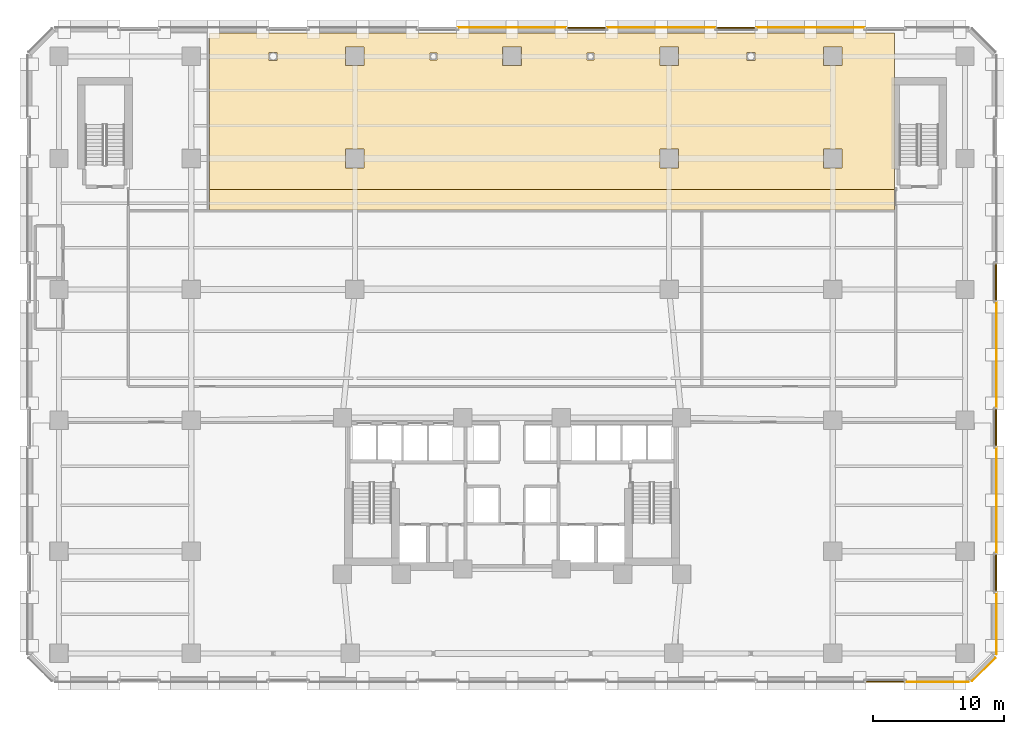
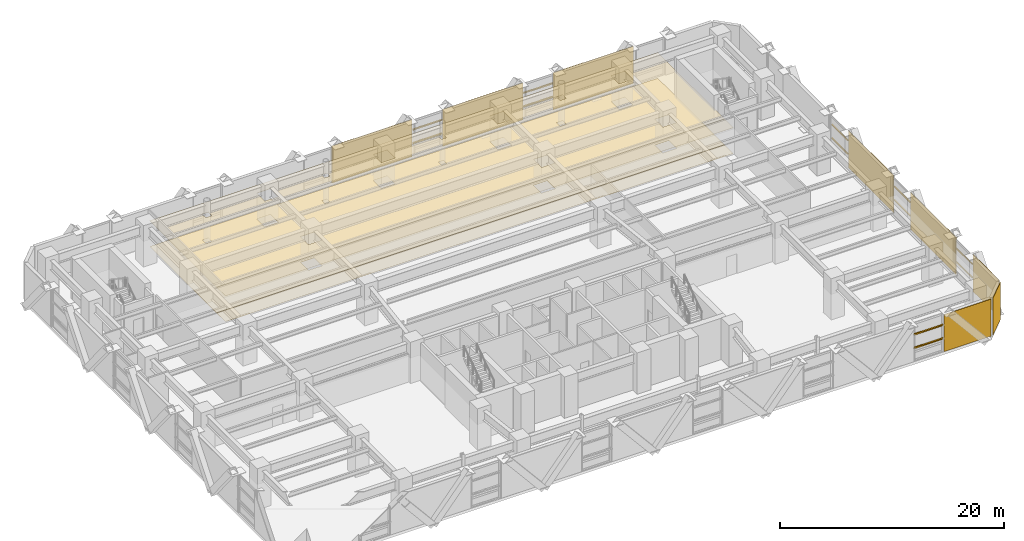
# One storey, part 25 of 26: 12 coverings, 12 shading devices.
"""IFC4 building model written with IfcOpenShell, lengths in metres."""

from ifc_helpers import new_model, si_unit, direction, frame, origin, origin_2d, place, context, subcontext, project, spatial, polyline, rectangle, outline, extrude, material, layer, layer_set, material_profile, profile_set, type_object, element, save


model = new_model("IFC4")

# Units and contexts
model_context = context("Model", 3, precision=1e-05, world=origin(), true_north=direction((0.0, 1.0)))
body_context = subcontext(model_context, "Body", "Model", "MODEL_VIEW")
ifc_project = project(units=[si_unit("LENGTHUNIT", "METRE"), si_unit("AREAUNIT", "SQUARE_METRE"), si_unit("VOLUMEUNIT", "CUBIC_METRE"), si_unit("PLANEANGLEUNIT", "RADIAN"), si_unit("MASSUNIT", "GRAM", prefix="KILO")], contexts=[model_context])

# Site, building, storey
site_placement = place(None, origin())
site = spatial("IfcSite", under=ifc_project, at=site_placement, CompositionType="ELEMENT")
building_placement = place(site_placement, origin())
building = spatial("IfcBuilding", under=site, at=building_placement, Name="Quenlor Broadcast Tower", CompositionType="ELEMENT")
storey_placement = place(building_placement, frame((0.0, 0.0, 18.5)))
storey = spatial("IfcBuildingStorey", under=building, at=storey_placement, Name="L04", CompositionType="ELEMENT", Elevation=18.5)

# Coverings
ifc_material_1 = material(Name="Acoustic Mineral Fibre Board", Category="other")
ifc_layer_1 = layer(ifc_material_1, 0.02490234375)
ifc_layer_set_1 = layer_set([ifc_layer_1], Name="Acoustic Perforated Mineral Tile Ceiling 25")
covering_type_1 = type_object("IfcCoveringType", Name="Acoustic Perforated Mineral Tile Ceiling 25", PredefinedType="CEILING", material=ifc_layer_set_1)
covering_1_placement = place(storey_placement, frame((0.0, 0.0, 2.804931640625)))
element("IfcCovering", 1, at=covering_1_placement, inside=storey, type_object=covering_type_1, Name="L04 Acoustic Ceiling L04-37", PredefinedType="CEILING", context=body_context, shape_type="SweptSolid", body=[
    extrude(outline(polyline([(29.199951171875, 11.080078125), (-23.1201171875, 11.080078125), (-23.1201171875, 12.64990234375), (29.199951171875, 12.64990234375), (29.199951171875, 11.080078125)])), origin(), (0.0, 0.0, 1.0), 0.025146484375),
])
covering_2_placement = place(storey_placement, frame((0.0, 0.0, 2.804931640625)))
element("IfcCovering", 2, at=covering_2_placement, inside=storey, type_object=covering_type_1, Name="L04 Acoustic Ceiling L04-37-2", PredefinedType="CEILING", context=body_context, shape_type="SweptSolid", body=[
    extrude(outline(polyline([(29.199951171875, 24.580078125), (29.199951171875, 12.64990234375), (-23.1201171875, 12.64990234375), (-23.1201171875, 24.580078125), (29.199951171875, 24.580078125)]), holes=[polyline([(-17.93701171875, 22.487060546875), (-17.93701171875, 23.113037109375), (-18.56298828125, 23.113037109375), (-18.56298828125, 22.487060546875), (-17.93701171875, 22.487060546875)]), polyline([(12.7080078125, 14.2919921875), (12.7080078125, 15.7080078125), (11.2919921875, 15.7080078125), (11.2919921875, 14.2919921875), (12.7080078125, 14.2919921875)]), polyline([(-11.2919921875, 15.7080078125), (-12.7080078125, 15.7080078125), (-12.7080078125, 14.2919921875), (-11.2919921875, 14.2919921875), (-11.2919921875, 15.7080078125)]), polyline([(0.7080078125, 22.092041015625), (0.7080078125, 23.508056640625), (-0.7080078125, 23.508056640625), (-0.7080078125, 22.092041015625), (0.7080078125, 22.092041015625)]), polyline([(12.7080078125, 22.092041015625), (12.7080078125, 23.508056640625), (11.2919921875, 23.508056640625), (11.2919921875, 22.092041015625), (12.7080078125, 22.092041015625)]), polyline([(6.261962890625, 23.06201171875), (5.738037109375, 23.06201171875), (5.738037109375, 22.5380859375), (6.261962890625, 22.5380859375), (6.261962890625, 23.06201171875)]), polyline([(-5.738037109375, 22.5380859375), (-5.738037109375, 23.06201171875), (-6.261962890625, 23.06201171875), (-6.261962890625, 22.5380859375), (-5.738037109375, 22.5380859375)]), polyline([(-11.2919921875, 22.092041015625), (-11.2919921875, 23.508056640625), (-12.7080078125, 23.508056640625), (-12.7080078125, 22.092041015625), (-11.2919921875, 22.092041015625)]), polyline([(25.2080078125, 14.2919921875), (25.2080078125, 15.7080078125), (23.7919921875, 15.7080078125), (23.7919921875, 14.2919921875), (25.2080078125, 14.2919921875)]), polyline([(25.2080078125, 22.092041015625), (25.2080078125, 23.508056640625), (23.7919921875, 23.508056640625), (23.7919921875, 22.092041015625), (25.2080078125, 22.092041015625)]), polyline([(18.56298828125, 22.487060546875), (18.56298828125, 23.113037109375), (17.93701171875, 23.113037109375), (17.93701171875, 22.487060546875), (18.56298828125, 22.487060546875)])]), origin(), (0.0, 0.0, 1.0), 0.025146484375),
])

# Shading devices
ifc_material_2 = material(Name="Architectural Terracotta Ceramic", Category="masonry")
ifc_material_profile = material_profile(ifc_material_2, rectangle(XDim=0.090087890625, YDim=0.139892578125, at=origin_2d()))
ifc_profile_set = profile_set([ifc_material_profile], Name="Architectural Terracotta Ceramic BAG90x140")
shading_device_type = type_object("IfcShadingDeviceType", Name="Copper Terracotta Baguette Solar Screen 140", PredefinedType="USERDEFINED", material=ifc_profile_set)
for number, where, z_axis, x_axis, name in (
    (3, (29.993896484375, -24.972900390625, 1.46875), (-1.0, 0.0, 0.0), (0.0, -1.0, 0.0), "L04 Terracotta Baguette Screen 1"),
    (4, (29.993896484375, -24.972900390625, 2.9375), (-1.0, 0.0, 0.0), (0.0, -1.0, 0.0), "L04 Terracotta Baguette Screen 2"),
    (5, (4.2060546875, 24.972900390625, 1.46875), (1.0, 0.0, 0.0), (0.0, 1.0, 0.0), "L04 Terracotta Baguette Screen 1"),
    (6, (4.2060546875, 24.972900390625, 2.9375), (1.0, 0.0, 0.0), (0.0, 1.0, 0.0), "L04 Terracotta Baguette Screen 2"),
    (7, (15.606201171875, 24.972900390625, 1.46875), (1.0, 0.0, 0.0), (0.0, 1.0, 0.0), "L04 Terracotta Baguette Screen 1"),
    (8, (15.606201171875, 24.972900390625, 2.9375), (1.0, 0.0, 0.0), (0.0, 1.0, 0.0), "L04 Terracotta Baguette Screen 2"),
):
    element("IfcShadingDevice", number, at=place(storey_placement, frame(where, z_axis=z_axis, x_axis=x_axis)), inside=storey, type_object=shading_device_type, Name=name, ObjectType="BAGUETTE", PredefinedType="USERDEFINED", context=body_context, shape_type="SweptSolid", body=[
        extrude(rectangle(XDim=0.090087890625, YDim=0.139892578125, at=origin_2d()), origin(), (0.0, 0.0, 1.0), 2.98779296875),
    ])
for number, where, z_axis, x_axis, name in (
    (9, (36.972900390625, 6.99365234375, 1.46875), (0.0, -1.0, 0.0), (1.0, 0.0, 0.0), "L04 Terracotta Baguette Screen 1"),
    (10, (36.972900390625, 6.99365234375, 2.9375), (0.0, -1.0, 0.0), (1.0, 0.0, 0.0), "L04 Terracotta Baguette Screen 2"),
    (11, (36.972900390625, -4.1064453125, 1.46875), (0.0, -1.0, 0.0), (1.0, 0.0, 0.0), "L04 Terracotta Baguette Screen 1"),
    (12, (36.972900390625, -4.1064453125, 2.9375), (0.0, -1.0, 0.0), (1.0, 0.0, 0.0), "L04 Terracotta Baguette Screen 2"),
    (13, (36.972900390625, -15.206298828125, 1.46875), (0.0, -1.0, 0.0), (1.0, 0.0, 0.0), "L04 Terracotta Baguette Screen 1"),
    (14, (36.972900390625, -15.206298828125, 2.9375), (0.0, -1.0, 0.0), (1.0, 0.0, 0.0), "L04 Terracotta Baguette Screen 2"),
):
    element("IfcShadingDevice", number, at=place(storey_placement, frame(where, z_axis=z_axis, x_axis=x_axis)), inside=storey, type_object=shading_device_type, Name=name, ObjectType="BAGUETTE", PredefinedType="USERDEFINED", context=body_context, shape_type="SweptSolid", body=[
        extrude(rectangle(XDim=0.090087890625, YDim=0.139892578125, at=origin_2d()), origin(), (0.0, 0.0, 1.0), 2.88720703125),
    ])

# Coverings
ifc_material_3 = material(Name="Architectural Terracotta Ceramic", Category="masonry")
ifc_layer_2 = layer(ifc_material_3, 0.044921875)
ifc_layer_set_2 = layer_set([ifc_layer_2], Name="Fluted Terracotta Rainscreen Cladding Panel")
covering_type_2 = type_object("IfcCoveringType", Name="Fluted Terracotta Rainscreen Cladding Panel", PredefinedType="CLADDING", material=ifc_layer_set_2)
covering_3_placement = place(storey_placement, frame((0.0, 0.0, 0.02001953125)))
element("IfcCovering", 15, at=covering_3_placement, inside=storey, type_object=covering_type_2, Name="L04 Terracotta Rainscreen Cladding L04-S-FULL-SP1", PredefinedType="CLADDING", context=body_context, shape_type="SweptSolid", body=[
    extrude(outline(polyline([(34.8701171875, -24.971923828125), (30.06494140625, -24.971923828125), (30.06494140625, -25.01708984375), (34.8701171875, -25.01708984375), (34.8701171875, -24.971923828125)])), origin(), (0.0, 0.0, 1.0), 4.0400390625),
])
covering_4_placement = place(storey_placement, frame((0.0, 0.0, 0.02001953125)))
element("IfcCovering", 16, at=covering_4_placement, inside=storey, type_object=covering_type_2, Name="L04 Terracotta Rainscreen Cladding L04-N-FULL-SP4", PredefinedType="CLADDING", context=body_context, shape_type="SweptSolid", body=[
    extrude(outline(polyline([(-4.135009765625, 24.971923828125), (4.135009765625, 24.971923828125), (4.135009765625, 25.01708984375), (-4.135009765625, 25.01708984375), (-4.135009765625, 24.971923828125)])), origin(), (0.0, 0.0, 1.0), 4.0400390625),
])
covering_5_placement = place(storey_placement, frame((0.0, 0.0, 0.02001953125)))
element("IfcCovering", 17, at=covering_5_placement, inside=storey, type_object=covering_type_2, Name="L04 Terracotta Rainscreen Cladding L04-N-FULL-SP5", PredefinedType="CLADDING", context=body_context, shape_type="SweptSolid", body=[
    extrude(outline(polyline([(7.264892578125, 24.971923828125), (15.53515625, 24.971923828125), (15.53515625, 25.01708984375), (7.264892578125, 25.01708984375), (7.264892578125, 24.971923828125)])), origin(), (0.0, 0.0, 1.0), 4.0400390625),
])
covering_6_placement = place(storey_placement, frame((0.0, 0.0, 0.02001953125)))
element("IfcCovering", 18, at=covering_6_placement, inside=storey, type_object=covering_type_2, Name="L04 Terracotta Rainscreen Cladding L04-N-FULL-SP6", PredefinedType="CLADDING", context=body_context, shape_type="SweptSolid", body=[
    extrude(outline(polyline([(18.664794921875, 24.971923828125), (26.93505859375, 24.971923828125), (26.93505859375, 25.01708984375), (18.664794921875, 25.01708984375), (18.664794921875, 24.971923828125)])), origin(), (0.0, 0.0, 1.0), 4.0400390625),
])
covering_7_placement = place(storey_placement, frame((0.0, 0.0, 0.02001953125)))
element("IfcCovering", 19, at=covering_7_placement, inside=storey, type_object=covering_type_2, Name="L04 Terracotta Rainscreen Cladding L04-E-FULL-SP3", PredefinedType="CLADDING", context=body_context, shape_type="SweptSolid", body=[
    extrude(outline(polyline([(36.971923828125, 4.035400390625), (36.971923828125, -4.035400390625), (37.01708984375, -4.035400390625), (37.01708984375, 4.035400390625), (36.971923828125, 4.035400390625)])), origin(), (0.0, 0.0, 1.0), 4.0400390625),
])
covering_8_placement = place(storey_placement, frame((0.0, 0.0, 0.02001953125)))
element("IfcCovering", 20, at=covering_8_placement, inside=storey, type_object=covering_type_2, Name="L04 Terracotta Rainscreen Cladding L04-E-FULL-SP4", PredefinedType="CLADDING", context=body_context, shape_type="SweptSolid", body=[
    extrude(outline(polyline([(36.971923828125, -7.064697265625), (36.971923828125, -15.135498046875), (37.01708984375, -15.135498046875), (37.01708984375, -7.064697265625), (36.971923828125, -7.064697265625)])), origin(), (0.0, 0.0, 1.0), 4.0400390625),
])
covering_9_placement = place(storey_placement, frame((0.0, 0.0, 0.02001953125)))
element("IfcCovering", 21, at=covering_9_placement, inside=storey, type_object=covering_type_2, Name="L04 Terracotta Rainscreen Cladding L04-E-FULL-SP5", PredefinedType="CLADDING", context=body_context, shape_type="SweptSolid", body=[
    extrude(outline(polyline([(36.971923828125, -18.16455078125), (36.971923828125, -22.8701171875), (37.01708984375, -22.8701171875), (37.01708984375, -18.16455078125), (36.971923828125, -18.16455078125)])), origin(), (0.0, 0.0, 1.0), 4.0400390625),
])
covering_10_placement = place(storey_placement, frame((0.0, 0.0, 0.02001953125)))
element("IfcCovering", 22, at=covering_10_placement, inside=storey, type_object=covering_type_2, Name="L04 Terracotta Rainscreen Cladding L04-EW-CSE", PredefinedType="CLADDING", context=body_context, shape_type="SweptSolid", body=[
    extrude(outline(polyline([(36.90625, -23.128662109375), (35.128662109375, -24.90625), (35.160400390625, -24.93798828125), (36.93798828125, -23.160400390625), (36.90625, -23.128662109375)])), origin(), (0.0, 0.0, 1.0), 4.0400390625),
])
ifc_material_4 = material(Name="Terrazzo Stone Finish", Category="masonry")
ifc_layer_3 = layer(ifc_material_4, 0.02001953125)
ifc_layer_set_3 = layer_set([ifc_layer_3], Name="Polished Sandstone Terrazzo Flooring 20")
covering_type_3 = type_object("IfcCoveringType", Name="Polished Sandstone Terrazzo Flooring 20", PredefinedType="FLOORING", material=ifc_layer_set_3)
covering_11_placement = place(storey_placement, origin())
element("IfcCovering", 23, at=covering_11_placement, inside=storey, type_object=covering_type_3, Name="L04 Terrazzo Flooring L04-37", PredefinedType="FLOORING", context=body_context, shape_type="SweptSolid", body=[
    extrude(outline(polyline([(29.199951171875, 11.080078125), (-23.1201171875, 11.080078125), (-23.1201171875, 12.64990234375), (29.199951171875, 12.64990234375), (29.199951171875, 11.080078125)])), origin(), (0.0, 0.0, 1.0), 0.02001953125),
])
covering_12_placement = place(storey_placement, origin())
element("IfcCovering", 24, at=covering_12_placement, inside=storey, type_object=covering_type_3, Name="L04 Terrazzo Flooring L04-37-2", PredefinedType="FLOORING", context=body_context, shape_type="SweptSolid", body=[
    extrude(outline(polyline([(29.199951171875, 24.580078125), (29.199951171875, 12.64990234375), (-23.1201171875, 12.64990234375), (-23.1201171875, 24.580078125), (29.199951171875, 24.580078125)]), holes=[polyline([(-17.93701171875, 22.487060546875), (-17.93701171875, 23.113037109375), (-18.56298828125, 23.113037109375), (-18.56298828125, 22.487060546875), (-17.93701171875, 22.487060546875)]), polyline([(12.7080078125, 14.2919921875), (12.7080078125, 15.7080078125), (11.2919921875, 15.7080078125), (11.2919921875, 14.2919921875), (12.7080078125, 14.2919921875)]), polyline([(-11.2919921875, 15.7080078125), (-12.7080078125, 15.7080078125), (-12.7080078125, 14.2919921875), (-11.2919921875, 14.2919921875), (-11.2919921875, 15.7080078125)]), polyline([(0.7080078125, 22.092041015625), (0.7080078125, 23.508056640625), (-0.7080078125, 23.508056640625), (-0.7080078125, 22.092041015625), (0.7080078125, 22.092041015625)]), polyline([(12.7080078125, 22.092041015625), (12.7080078125, 23.508056640625), (11.2919921875, 23.508056640625), (11.2919921875, 22.092041015625), (12.7080078125, 22.092041015625)]), polyline([(6.261962890625, 23.06201171875), (5.738037109375, 23.06201171875), (5.738037109375, 22.5380859375), (6.261962890625, 22.5380859375), (6.261962890625, 23.06201171875)]), polyline([(-5.738037109375, 22.5380859375), (-5.738037109375, 23.06201171875), (-6.261962890625, 23.06201171875), (-6.261962890625, 22.5380859375), (-5.738037109375, 22.5380859375)]), polyline([(-11.2919921875, 22.092041015625), (-11.2919921875, 23.508056640625), (-12.7080078125, 23.508056640625), (-12.7080078125, 22.092041015625), (-11.2919921875, 22.092041015625)]), polyline([(25.2080078125, 14.2919921875), (25.2080078125, 15.7080078125), (23.7919921875, 15.7080078125), (23.7919921875, 14.2919921875), (25.2080078125, 14.2919921875)]), polyline([(25.2080078125, 22.092041015625), (25.2080078125, 23.508056640625), (23.7919921875, 23.508056640625), (23.7919921875, 22.092041015625), (25.2080078125, 22.092041015625)]), polyline([(18.56298828125, 22.487060546875), (18.56298828125, 23.113037109375), (17.93701171875, 23.113037109375), (17.93701171875, 22.487060546875), (18.56298828125, 22.487060546875)])]), origin(), (0.0, 0.0, 1.0), 0.02001953125),
])

save(model, "model.ifc")
